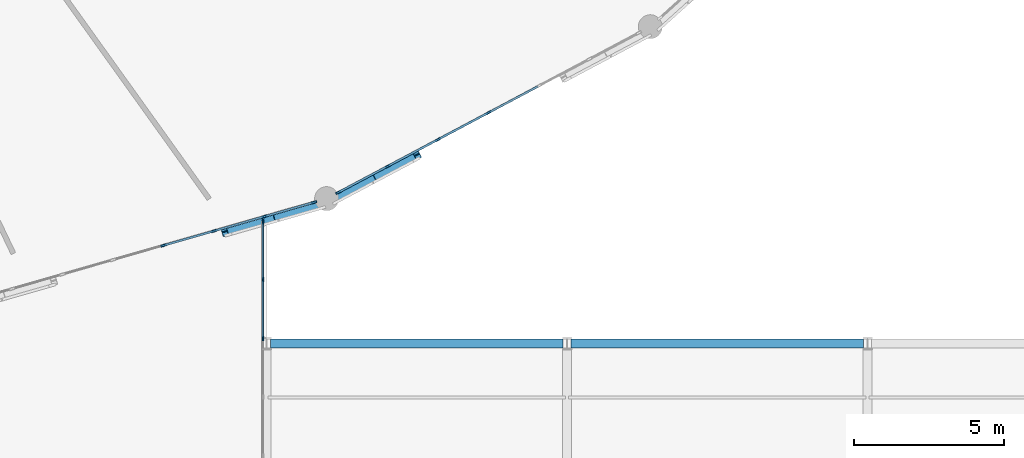
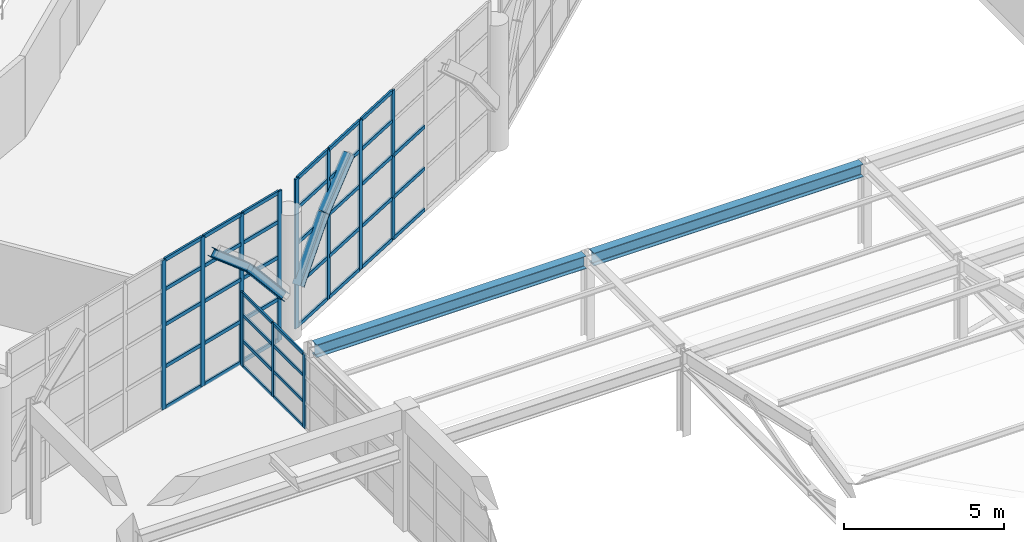
# One storey, part 30 of 109: 52 members, 6 beams, 3 elements without a shape of their own.
"""IFC4 building model written with IfcOpenShell, lengths in metres."""

import ifcopenshell
import ifcopenshell.guid

model = None  # the IFC model being written
_history = None  # IfcOwnerHistory: only IFC2X3 demands one
_inside = {}  # id of a spatial element -> (the spatial element, [elements in it])
_under = {}  # id of a project, library or spatial element -> (it, [spatial elements below it])
_declared = {}  # id of a project -> (the project, [libraries it declares])
_typed = {}  # id of a type object -> (the type object, [elements of that type])
_made_of = {}  # id of a material, layer set ... -> (it, [elements and type objects made of it])


def new_model(schema):
    """Start an empty IFC model of exactly this schema.

    Asked for "IFC4X3", IfcOpenShell would pick the latest addendum, in which some entities
    have other attributes; the version numbers below select the first issue.
    IFC2X3 requires an IfcOwnerHistory on every rooted entity: one is made here for all.
    """
    global model, _history
    if schema == "IFC4X3":
        model = ifcopenshell.file(schema_version=(4, 3, 0, 0))
    else:
        model = ifcopenshell.file(schema=schema)
    _inside.clear()
    _under.clear()
    _declared.clear()
    _typed.clear()
    _made_of.clear()
    _history = None
    if model.schema == "IFC2X3":
        org = make("IfcOrganization", Name="unknown")
        user = make(
            "IfcPersonAndOrganization",
            ThePerson=make("IfcPerson", FamilyName="unknown"),
            TheOrganization=org,
        )
        app = make(
            "IfcApplication",
            ApplicationDeveloper=org,
            Version="unknown",
            ApplicationFullName="unknown",
            ApplicationIdentifier="unknown",
        )
        _history = make(
            "IfcOwnerHistory",
            OwningUser=user,
            OwningApplication=app,
            ChangeAction="ADDED",
            CreationDate=0,
        )
    return model


def make(cls, **values):
    """One entity of the class cls with the attributes given. An attribute that is None is left unset."""
    return model.create_entity(
        cls, **{name: value for name, value in values.items() if value is not None}
    )


def rooted(cls, **values):
    """An entity with a GlobalId (a new one), such as an element, a storey or a relation."""
    return make(cls, GlobalId=ifcopenshell.guid.new(), OwnerHistory=_history, **values)


def si_unit(unit_type, name, prefix=None):
    """IfcSIUnit, for example si_unit("LENGTHUNIT", "METRE", prefix="MILLI")."""
    return make("IfcSIUnit", UnitType=unit_type, Prefix=prefix, Name=name)


def assignment(units):
    """IfcUnitAssignment: the units of a project."""
    return None if units is None else make("IfcUnitAssignment", Units=units)


def point(xyz):
    """IfcCartesianPoint."""
    return None if xyz is None else make("IfcCartesianPoint", Coordinates=xyz)


def direction(xyz):
    """IfcDirection."""
    return None if xyz is None else make("IfcDirection", DirectionRatios=xyz)


def frame(location, z_axis=None, x_axis=None):
    """IfcAxis2Placement3D, a coordinate frame: its origin and axes. An axis left out is left unset."""
    return make(
        "IfcAxis2Placement3D",
        Location=point(location),
        Axis=direction(z_axis),
        RefDirection=direction(x_axis),
    )


def frame_2d(location, x_axis=None):
    """IfcAxis2Placement2D, a coordinate frame in the plane: its origin and x axis."""
    return make(
        "IfcAxis2Placement2D", Location=point(location), RefDirection=direction(x_axis)
    )


def origin():
    """The frame at (0, 0, 0) with its axes left unset."""
    return frame((0.0, 0.0, 0.0))


def origin_2d():
    """The frame at (0, 0) in the plane with its x axis left unset."""
    return frame_2d((0.0, 0.0))


def place(relative_to, where):
    """IfcLocalPlacement: puts the frame where relative to a parent placement (None: the world)."""
    return make(
        "IfcLocalPlacement", PlacementRelTo=relative_to, RelativePlacement=where
    )


def context(
    kind, dimensions, precision=None, world=None, true_north=None, identifier=None
):
    """IfcGeometricRepresentationContext, for example the 3D "Model" context."""
    return make(
        "IfcGeometricRepresentationContext",
        ContextIdentifier=identifier,
        ContextType=kind,
        CoordinateSpaceDimension=dimensions,
        Precision=precision,
        WorldCoordinateSystem=world,
        TrueNorth=true_north,
    )


def subcontext(parent, identifier, kind, view, scale=None):
    """IfcGeometricRepresentationSubContext, for example "Body" below "Model"."""
    return make(
        "IfcGeometricRepresentationSubContext",
        ContextIdentifier=identifier,
        ContextType=kind,
        ParentContext=parent,
        TargetScale=scale,
        TargetView=view,
    )


def project(units=None, contexts=None):
    """IfcProject with its units and contexts."""
    return rooted(
        "IfcProject",
        Name="project",
        RepresentationContexts=contexts,
        UnitsInContext=assignment(units),
    )


def spatial(cls, under=None, at=None, **own):
    """A site, building, storey or space (cls), placed at a placement, below another one or the project."""
    s = rooted(cls, ObjectPlacement=at, **own)
    if under is not None:
        _under.setdefault(under.id(), (under, []))[1].append(s)
    return s


def profile(cls, at=None, kind="AREA", **sizes):
    """A parametric profile (cls). Its sizes go by their IFC names, for example OverallWidth=200.0."""
    return make(cls, ProfileType=kind, Position=at, **sizes)


def rectangle(**sizes):
    """IfcRectangleProfileDef."""
    return profile("IfcRectangleProfileDef", **sizes)


def i_section(**sizes):
    """IfcIShapeProfileDef."""
    return profile("IfcIShapeProfileDef", **sizes)


def extrude(swept, where, along, depth):
    """IfcExtrudedAreaSolid: the profile swept, set in the frame where, extruded along a direction by depth."""
    return make(
        "IfcExtrudedAreaSolid",
        SweptArea=swept,
        Position=where,
        ExtrudedDirection=direction(along),
        Depth=depth,
    )


def shape(context_of_items, identifier, shape_type, items):
    """IfcShapeRepresentation: the items that make up one representation, for example the "Body"."""
    return make(
        "IfcShapeRepresentation",
        ContextOfItems=context_of_items,
        RepresentationIdentifier=identifier,
        RepresentationType=shape_type,
        Items=items,
    )


def material(Name=None, Category=None):
    """IfcMaterial."""
    return make("IfcMaterial", Name=Name, Category=Category)


def layer(
    of_material, thickness, ventilated=None, Name=None, Category=None, Priority=None
):
    """IfcMaterialLayer: one layer of a wall or slab, of a material (None: an air gap)."""
    return make(
        "IfcMaterialLayer",
        Material=of_material,
        LayerThickness=thickness,
        IsVentilated=ventilated,
        Name=Name,
        Category=Category,
        Priority=Priority,
    )


def layer_set(layers, Name=None):
    """IfcMaterialLayerSet."""
    return make("IfcMaterialLayerSet", MaterialLayers=layers, LayerSetName=Name)


def material_profile(
    of_material, cross_section, Name=None, Category=None, Priority=None
):
    """IfcMaterialProfile: a cross section and its material."""
    return make(
        "IfcMaterialProfile",
        Name=Name,
        Material=of_material,
        Profile=cross_section,
        Priority=Priority,
        Category=Category,
    )


def profile_set(profiles, Name=None, composite=None):
    """IfcMaterialProfileSet."""
    return make(
        "IfcMaterialProfileSet",
        Name=Name,
        MaterialProfiles=profiles,
        CompositeProfile=composite,
    )


def made_of(thing, what):
    """Note that an element or type object is made of a material, layer set ...; save() writes the relation."""
    if what is not None:
        _made_of.setdefault(what.id(), (what, []))[1].append(thing)
    return thing


def type_object(cls, material=None, **own):
    """A type object (cls), such as IfcWallType, which elements share."""
    return made_of(rooted(cls, **own), material)


def element(
    cls,
    number,
    at=None,
    inside=None,
    cuts=None,
    type_object=None,
    material=None,
    context=None,
    identifier="Body",
    shape_type=None,
    held_by="IfcProductDefinitionShape",
    body=None,
    shapes=None,
    **own,
):
    """One element of the class cls, such as IfcWall. Its Tag is "e" and its number.

    at: its placement. inside: the storey or other place that contains it. cuts: it is an
    opening in that element (IfcRelVoidsElement). A single representation is given by context,
    identifier, shape_type and body (its items); several are given by shapes. held_by: the class
    of the entity that holds the representations. save() writes the other relations.
    """
    e = rooted(cls, Tag="e%d" % number, ObjectPlacement=at, **own)
    if body is not None:
        shapes = [shape(context, identifier, shape_type, body)]
    if shapes is not None:
        e.Representation = make(held_by, Representations=shapes)
    if inside is not None:
        _inside.setdefault(inside.id(), (inside, []))[1].append(e)
    if cuts is not None:
        rooted(
            "IfcRelVoidsElement", RelatingBuildingElement=cuts, RelatedOpeningElement=e
        )
    if type_object is not None:
        _typed.setdefault(type_object.id(), (type_object, []))[1].append(e)
    return made_of(e, material)


def aggregate(whole, parts):
    """IfcRelAggregates: a whole, such as a stair, and the parts it consists of."""
    return rooted("IfcRelAggregates", RelatingObject=whole, RelatedObjects=parts)


def save(model, path):
    """Write the relations noted so far, then the file.

    IfcRelAggregates (storeys below a building ...), IfcRelContainedInSpatialStructure (elements
    in a storey), IfcRelDefinesByType, IfcRelAssociatesMaterial and IfcRelDeclares: one each for
    every whole, place, type object, material and project.
    """
    for whole, parts in _under.values():
        aggregate(whole, parts)
    for where, things in _inside.values():
        rooted(
            "IfcRelContainedInSpatialStructure",
            RelatedElements=things,
            RelatingStructure=where,
        )
    for kind, things in _typed.values():
        rooted("IfcRelDefinesByType", RelatedObjects=things, RelatingType=kind)
    for what, things in _made_of.values():
        rooted("IfcRelAssociatesMaterial", RelatedObjects=things, RelatingMaterial=what)
    for by, libraries in _declared.values():
        rooted("IfcRelDeclares", RelatingContext=by, RelatedDefinitions=libraries)
    model.write(path)


model = new_model("IFC4")

# Units and contexts
model_context = context("Model", 3, precision=1e-05, world=origin(), true_north=direction((0.0, 1.0)))
body_context = subcontext(model_context, "Body", "Model", "MODEL_VIEW")
ifc_project = project(units=[si_unit("LENGTHUNIT", "METRE"), si_unit("AREAUNIT", "SQUARE_METRE"), si_unit("VOLUMEUNIT", "CUBIC_METRE"), si_unit("PLANEANGLEUNIT", "RADIAN"), si_unit("MASSUNIT", "GRAM", prefix="KILO")], contexts=[model_context])

# Site, building, storey
site_placement = place(None, origin())
site = spatial("IfcSite", under=ifc_project, at=site_placement, CompositionType="ELEMENT")
building_placement = place(site_placement, origin())
building = spatial("IfcBuilding", under=site, at=building_placement, Name="Kivolera Central Railway Station", CompositionType="ELEMENT")
storey_placement = place(building_placement, frame((0.0, 0.0, 9.60009765625)))
storey = spatial("IfcBuildingStorey", under=building, at=storey_placement, Name="L02", CompositionType="ELEMENT", Elevation=9.60009765625)

# Beams
ifc_material_1 = material(Name="Steel S355", Category="steel")
ifc_material_profile_1 = material_profile(ifc_material_1, i_section(OverallWidth=0.300048828125, OverallDepth=0.300048828125, WebThickness=0.010986328125, FlangeThickness=0.01904296875, FilletRadius=0.027099609375, at=origin_2d()), Name="HEB 300")
ifc_profile_set_1 = profile_set([ifc_material_profile_1], Name="Steel S355")
beam_type_1 = type_object("IfcBeamType", Name="BM-LANT-ARCH", PredefinedType="SPANDREL", material=ifc_profile_set_1)
beam_1_placement = place(storey_placement, frame((86.60888671875, 57.72607421875, 4.9599609375), z_axis=(0.732995328779, 0.210190358855, -0.646945021646), x_axis=(-0.275646238787, 0.961259148743, 0.0)))
element("IfcBeam", 1, at=beam_1_placement, inside=storey, type_object=beam_type_1, Name="Oval Lantern Structural Arch Rib 20.5", PredefinedType="SPANDREL", context=body_context, shape_type="SweptSolid", body=[
    extrude(i_section(OverallWidth=0.300048828125, OverallDepth=0.300048828125, WebThickness=0.010986328125, FlangeThickness=0.01904296875, FilletRadius=0.027099609375, at=origin_2d()), origin(), (0.0, 0.0, 1.0), 2.102294921875),
])
beam_2_placement = place(storey_placement, frame((88.14990234375, 58.16796875, 3.599853515625), z_axis=(0.620136976598, 0.177813183125, -0.764076306505), x_axis=(-0.275625562891, 0.961265077427, 0.0)))
element("IfcBeam", 2, at=beam_2_placement, inside=storey, type_object=beam_type_1, Name="Oval Lantern Structural Arch Rib 20.6", PredefinedType="SPANDREL", context=body_context, shape_type="SweptSolid", body=[
    extrude(i_section(OverallWidth=0.300048828125, OverallDepth=0.300048828125, WebThickness=0.010986328125, FlangeThickness=0.01904296875, FilletRadius=0.027099609375, at=origin_2d()), origin(), (0.0, 0.0, 1.0), 2.486572265625),
])
beam_3_placement = place(storey_placement, frame((90.3701171875, 58.884033203125, 1.699951171875), z_axis=(0.545509681166, 0.289732540923, 0.786431333611), x_axis=(-0.469067500221, 0.88316231817, 0.0)))
element("IfcBeam", 3, at=beam_3_placement, inside=storey, type_object=beam_type_1, Name="Oval Lantern Structural Arch Rib 21.1", PredefinedType="SPANDREL", context=body_context, shape_type="SweptSolid", body=[
    extrude(i_section(OverallWidth=0.300048828125, OverallDepth=0.300048828125, WebThickness=0.010986328125, FlangeThickness=0.01904296875, FilletRadius=0.027099609375, at=origin_2d()), origin(), (0.0, 0.0, 1.0), 2.415771484375),
])
beam_4_placement = place(storey_placement, frame((91.68798828125, 59.583984375, 3.599853515625), z_axis=(0.65306159566, 0.346534813022, 0.673367786308), x_axis=(-0.468728824497, 0.883342113275, 0.0)))
element("IfcBeam", 4, at=beam_4_placement, inside=storey, type_object=beam_type_1, Name="Oval Lantern Structural Arch Rib 21.2", PredefinedType="SPANDREL", context=body_context, shape_type="SweptSolid", body=[
    extrude(i_section(OverallWidth=0.300048828125, OverallDepth=0.300048828125, WebThickness=0.010986328125, FlangeThickness=0.01904296875, FilletRadius=0.027099609375, at=origin_2d()), origin(), (0.0, 0.0, 1.0), 2.019775390625),
])
ifc_material_profile_2 = material_profile(ifc_material_1, i_section(OverallWidth=0.300048828125, OverallDepth=0.489990234375, WebThickness=0.011962890625, FlangeThickness=0.02294921875, FilletRadius=0.027099609375, at=origin_2d()), Name="HEA 500")
ifc_profile_set_2 = profile_set([ifc_material_profile_2], Name="Steel S355")
beam_type_2 = type_object("IfcBeamType", Name="BM-SHD-HEA500", PredefinedType="BEAM", material=ifc_profile_set_2)
for number, where, z_axis, x_axis, name in (
    (5, (88.136962890625, 54.0, 3.0048828125), (1.0, 0.0, 0.0), (0.0, 1.0, 0.0), "Train Shed Eave Girder E:9-10"),
    (6, (98.136962890625, 54.0, 3.0048828125), (1.0, 0.0, 0.0), (0.0, 1.0, 0.0), "Train Shed Eave Girder E:10-11"),
):
    element("IfcBeam", number, at=place(storey_placement, frame(where, z_axis=z_axis, x_axis=x_axis)), inside=storey, type_object=beam_type_2, Name=name, PredefinedType="BEAM", context=body_context, shape_type="SweptSolid", body=[
        extrude(i_section(OverallWidth=0.300048828125, OverallDepth=0.489990234375, WebThickness=0.011962890625, FlangeThickness=0.02294921875, FilletRadius=0.027099609375, at=origin_2d()), origin(), (0.0, 0.0, 1.0), 9.72607421875),
    ])

# Curtain wall, members
ifc_material_2 = material(Name="Anodised aluminium", Category="aluminium")
ifc_layer_1 = layer(ifc_material_2, 0.179931640625, Name="Anodised aluminium")
ifc_layer_set_1 = layer_set([ifc_layer_1], Name="Anodised aluminium")
curtain_wall_type_1 = type_object("IfcCurtainWallType", Name="CW-SYS-11", PredefinedType="NOTDEFINED", material=ifc_layer_set_1)
curtain_wall_1_placement = place(storey_placement, origin())
curtain_wall_1 = element("IfcCurtainWall", 7, at=curtain_wall_1_placement, inside=storey, type_object=curtain_wall_type_1, Name="L02 Curtain Wall CW-L02-OVL-19", PredefinedType="NOTDEFINED")
ifc_material_profile_3 = material_profile(ifc_material_2, rectangle(XDim=0.070068359375, YDim=0.179931640625, at=origin_2d()), Name="ALU MULL 70x180")
ifc_profile_set_3 = profile_set([ifc_material_profile_3], Name="Anodised aluminium")
member_type_1 = type_object("IfcMemberType", Name="CWM-MUL-1", PredefinedType="MULLION", material=ifc_profile_set_3)
member_1_placement = place(storey_placement, frame((89.581298828125, 58.703369140625, -0.005126953125), z_axis=(0.0, 0.0, 1.0), x_axis=(0.27569168989, -0.961246114232, 0.0)))
member_1 = element("IfcMember", 8, at=member_1_placement, type_object=member_type_1, Name="CW-11 mullion 1", PredefinedType="MULLION", context=body_context, shape_type="SweptSolid", body=[
    extrude(rectangle(XDim=0.070068359375, YDim=0.179931640625, at=origin_2d()), origin(), (0.0, 0.0, 1.0), 5.705078125),
])
member_2_placement = place(storey_placement, frame((87.933349609375, 58.230712890625, -0.005126953125), z_axis=(0.0, 0.0, 1.0), x_axis=(0.27569168989, -0.961246114232, 0.0)))
member_2 = element("IfcMember", 9, at=member_2_placement, type_object=member_type_1, Name="CW-11 mullion 2", PredefinedType="MULLION", context=body_context, shape_type="SweptSolid", body=[
    extrude(rectangle(XDim=0.070068359375, YDim=0.179931640625, at=origin_2d()), origin(), (0.0, 0.0, 1.0), 5.705078125),
])
member_3_placement = place(storey_placement, frame((86.251953125, 57.74853515625, -0.005126953125), z_axis=(0.0, 0.0, 1.0), x_axis=(0.27569168989, -0.961246114232, 0.0)))
member_3 = element("IfcMember", 10, at=member_3_placement, type_object=member_type_1, Name="CW-11 mullion 3", PredefinedType="MULLION", context=body_context, shape_type="SweptSolid", body=[
    extrude(rectangle(XDim=0.070068359375, YDim=0.179931640625, at=origin_2d()), origin(), (0.0, 0.0, 1.0), 5.705078125),
])
member_4_placement = place(storey_placement, frame((84.5703125, 57.26611328125, -0.005126953125), z_axis=(0.0, 0.0, 1.0), x_axis=(0.27569168989, -0.961246114232, 0.0)))
member_4 = element("IfcMember", 11, at=member_4_placement, type_object=member_type_1, Name="CW-11 mullion 4", PredefinedType="MULLION", context=body_context, shape_type="SweptSolid", body=[
    extrude(rectangle(XDim=0.070068359375, YDim=0.179931640625, at=origin_2d()), origin(), (0.0, 0.0, 1.0), 5.705078125),
])

ifc_layer_2 = layer(ifc_material_2, 0.179931640625, Name="Anodised aluminium")
ifc_layer_set_2 = layer_set([ifc_layer_2], Name="Anodised aluminium")
curtain_wall_type_2 = type_object("IfcCurtainWallType", Name="CW-SYS-09", PredefinedType="NOTDEFINED", material=ifc_layer_set_2)
curtain_wall_2_placement = place(storey_placement, origin())
curtain_wall_2 = element("IfcCurtainWall", 12, at=curtain_wall_2_placement, inside=storey, type_object=curtain_wall_type_2, Name="L02 Curtain Wall CW-L02-OVL-20", PredefinedType="NOTDEFINED")
member_5_placement = place(storey_placement, frame((95.385009765625, 61.68359375, -0.005126953125), z_axis=(0.0, 0.0, 1.0), x_axis=(0.469052563023, -0.883170251493, 0.0)))
member_5 = element("IfcMember", 13, at=member_5_placement, type_object=member_type_1, Name="CW-09 mullion 4", PredefinedType="MULLION", context=body_context, shape_type="SweptSolid", body=[
    extrude(rectangle(XDim=0.070068359375, YDim=0.179931640625, at=origin_2d()), origin(), (0.0, 0.0, 1.0), 5.705078125),
])
member_6_placement = place(storey_placement, frame((93.707763671875, 60.792724609375, -0.005126953125), z_axis=(0.0, 0.0, 1.0), x_axis=(0.469052563023, -0.883170251493, 0.0)))
member_6 = element("IfcMember", 14, at=member_6_placement, type_object=member_type_1, Name="CW-09 mullion 5", PredefinedType="MULLION", context=body_context, shape_type="SweptSolid", body=[
    extrude(rectangle(XDim=0.070068359375, YDim=0.179931640625, at=origin_2d()), origin(), (0.0, 0.0, 1.0), 5.705078125),
])
member_7_placement = place(storey_placement, frame((92.0302734375, 59.90185546875, -0.005126953125), z_axis=(0.0, 0.0, 1.0), x_axis=(0.469052563023, -0.883170251493, 0.0)))
member_7 = element("IfcMember", 15, at=member_7_placement, type_object=member_type_1, Name="CW-09 mullion 6", PredefinedType="MULLION", context=body_context, shape_type="SweptSolid", body=[
    extrude(rectangle(XDim=0.070068359375, YDim=0.179931640625, at=origin_2d()), origin(), (0.0, 0.0, 1.0), 5.705078125),
])
member_8_placement = place(storey_placement, frame((90.3837890625, 59.02734375, -0.005126953125), z_axis=(0.0, 0.0, 1.0), x_axis=(0.469052563023, -0.883170251493, 0.0)))
member_8 = element("IfcMember", 16, at=member_8_placement, type_object=member_type_1, Name="CW-09 mullion 7", PredefinedType="MULLION", context=body_context, shape_type="SweptSolid", body=[
    extrude(rectangle(XDim=0.070068359375, YDim=0.179931640625, at=origin_2d()), origin(), (0.0, 0.0, 1.0), 5.705078125),
])

ifc_layer_3 = layer(ifc_material_2, 0.179931640625, Name="Anodised aluminium")
ifc_layer_set_3 = layer_set([ifc_layer_3], Name="Anodised aluminium")
curtain_wall_type_3 = type_object("IfcCurtainWallType", Name="CW-SYS-20", PredefinedType="NOTDEFINED", material=ifc_layer_set_3)
curtain_wall_3_placement = place(storey_placement, origin())
curtain_wall_3 = element("IfcCurtainWall", 17, at=curtain_wall_3_placement, inside=storey, type_object=curtain_wall_type_3, Name="L02 Curtain Wall CW-L02-BRGE-4", PredefinedType="NOTDEFINED")
ifc_material_profile_4 = material_profile(ifc_material_2, rectangle(XDim=0.06005859375, YDim=0.14990234375, at=origin_2d()), Name="ALU MULL 60x150")
ifc_profile_set_4 = profile_set([ifc_material_profile_4], Name="Anodised aluminium")
member_type_2 = type_object("IfcMemberType", Name="CWM-MUL-2", PredefinedType="MULLION", material=ifc_profile_set_4)
member_9_placement = place(storey_placement, frame((87.8798828125, 58.050048828125, -0.005126953125), z_axis=(0.0, 0.0, 1.0), x_axis=(1.0, 0.0, 0.0)))
member_9 = element("IfcMember", 18, at=member_9_placement, type_object=member_type_2, Name="CW-20 mullion 1", PredefinedType="MULLION", context=body_context, shape_type="SweptSolid", body=[
    extrude(rectangle(XDim=0.06005859375, YDim=0.14990234375, at=origin_2d()), origin(), (0.0, 0.0, 1.0), 2.824951171875),
])
member_10_placement = place(storey_placement, frame((87.8798828125, 56.1259765625, -0.005126953125), z_axis=(0.0, 0.0, 1.0), x_axis=(1.0, 0.0, 0.0)))
member_10 = element("IfcMember", 19, at=member_10_placement, type_object=member_type_2, Name="CW-20 mullion 2", PredefinedType="MULLION", context=body_context, shape_type="SweptSolid", body=[
    extrude(rectangle(XDim=0.06005859375, YDim=0.14990234375, at=origin_2d()), origin(), (0.0, 0.0, 1.0), 2.824951171875),
])
member_11_placement = place(storey_placement, frame((87.8798828125, 54.172119140625, -0.005126953125), z_axis=(0.0, 0.0, 1.0), x_axis=(1.0, 0.0, 0.0)))
member_11 = element("IfcMember", 20, at=member_11_placement, type_object=member_type_2, Name="CW-20 mullion 3", PredefinedType="MULLION", context=body_context, shape_type="SweptSolid", body=[
    extrude(rectangle(XDim=0.06005859375, YDim=0.14990234375, at=origin_2d()), origin(), (0.0, 0.0, 1.0), 2.824951171875),
])

# Member
ifc_material_profile_5 = material_profile(ifc_material_2, rectangle(XDim=0.070068359375, YDim=0.139892578125, at=origin_2d()), Name="ALU TRAN 70x140")
ifc_profile_set_5 = profile_set([ifc_material_profile_5], Name="Anodised aluminium")
member_type_3 = type_object("IfcMemberType", Name="CWM-TRN-1", PredefinedType="USERDEFINED", material=ifc_profile_set_5)
member_12_placement = place(storey_placement, frame((89.547607421875, 58.693603515625, 0.034912109375), z_axis=(-0.961277023143, -0.275583897892, 0.0), x_axis=(0.275583897892, -0.961277023143, 0.0)))
member_12 = element("IfcMember", 21, at=member_12_placement, type_object=member_type_3, Name="CW-11 transom 1.1", ObjectType="TRANSOM", PredefinedType="USERDEFINED", context=body_context, shape_type="SweptSolid", body=[
    extrude(rectangle(XDim=0.070068359375, YDim=0.139892578125, at=origin_2d()), origin(), (0.0, 0.0, 1.0), 1.644287109375),
])

member_13_placement = place(storey_placement, frame((89.547607421875, 58.693603515625, 1.599853515625), z_axis=(-0.961277023143, -0.275583897892, 0.0), x_axis=(0.275583897892, -0.961277023143, 0.0)))
member_13 = element("IfcMember", 22, at=member_13_placement, type_object=member_type_3, Name="CW-11 transom 1.2", ObjectType="TRANSOM", PredefinedType="USERDEFINED", context=body_context, shape_type="SweptSolid", body=[
    extrude(rectangle(XDim=0.070068359375, YDim=0.139892578125, at=origin_2d()), origin(), (0.0, 0.0, 1.0), 1.644287109375),
])

member_14_placement = place(storey_placement, frame((89.547607421875, 58.693603515625, 3.199951171875), z_axis=(-0.961277023143, -0.275583897892, 0.0), x_axis=(0.275583897892, -0.961277023143, 0.0)))
member_14 = element("IfcMember", 23, at=member_14_placement, type_object=member_type_3, Name="CW-11 transom 1.3", ObjectType="TRANSOM", PredefinedType="USERDEFINED", context=body_context, shape_type="SweptSolid", body=[
    extrude(rectangle(XDim=0.070068359375, YDim=0.139892578125, at=origin_2d()), origin(), (0.0, 0.0, 1.0), 1.644287109375),
])

member_15_placement = place(storey_placement, frame((89.547607421875, 58.693603515625, 4.5498046875), z_axis=(-0.961277023143, -0.275583897892, 0.0), x_axis=(0.275583897892, -0.961277023143, 0.0)))
member_15 = element("IfcMember", 24, at=member_15_placement, type_object=member_type_3, Name="CW-11 transom 1.4", ObjectType="TRANSOM", PredefinedType="USERDEFINED", context=body_context, shape_type="SweptSolid", body=[
    extrude(rectangle(XDim=0.070068359375, YDim=0.139892578125, at=origin_2d()), origin(), (0.0, 0.0, 1.0), 1.644287109375),
])

member_16_placement = place(storey_placement, frame((89.547607421875, 58.693603515625, 5.664794921875), z_axis=(-0.961277023143, -0.275583897892, 0.0), x_axis=(0.275583897892, -0.961277023143, 0.0)))
member_16 = element("IfcMember", 25, at=member_16_placement, type_object=member_type_3, Name="CW-11 transom 1.5", ObjectType="TRANSOM", PredefinedType="USERDEFINED", context=body_context, shape_type="SweptSolid", body=[
    extrude(rectangle(XDim=0.070068359375, YDim=0.139892578125, at=origin_2d()), origin(), (0.0, 0.0, 1.0), 1.644287109375),
])

member_17_placement = place(storey_placement, frame((87.89990234375, 58.220947265625, 0.034912109375), z_axis=(-0.961271217599, -0.275604147674, 0.0), x_axis=(0.275604147674, -0.961271217599, 0.0)))
member_17 = element("IfcMember", 26, at=member_17_placement, type_object=member_type_3, Name="CW-11 transom 2.1", ObjectType="TRANSOM", PredefinedType="USERDEFINED", context=body_context, shape_type="SweptSolid", body=[
    extrude(rectangle(XDim=0.070068359375, YDim=0.139892578125, at=origin_2d()), origin(), (0.0, 0.0, 1.0), 1.679443359375),
])

member_18_placement = place(storey_placement, frame((87.89990234375, 58.220947265625, 1.599853515625), z_axis=(-0.961271217599, -0.275604147674, 0.0), x_axis=(0.275604147674, -0.961271217599, 0.0)))
member_18 = element("IfcMember", 27, at=member_18_placement, type_object=member_type_3, Name="CW-11 transom 2.2", ObjectType="TRANSOM", PredefinedType="USERDEFINED", context=body_context, shape_type="SweptSolid", body=[
    extrude(rectangle(XDim=0.070068359375, YDim=0.139892578125, at=origin_2d()), origin(), (0.0, 0.0, 1.0), 1.679443359375),
])

member_19_placement = place(storey_placement, frame((87.89990234375, 58.220947265625, 3.199951171875), z_axis=(-0.961271217599, -0.275604147674, 0.0), x_axis=(0.275604147674, -0.961271217599, 0.0)))
member_19 = element("IfcMember", 28, at=member_19_placement, type_object=member_type_3, Name="CW-11 transom 2.3", ObjectType="TRANSOM", PredefinedType="USERDEFINED", context=body_context, shape_type="SweptSolid", body=[
    extrude(rectangle(XDim=0.070068359375, YDim=0.139892578125, at=origin_2d()), origin(), (0.0, 0.0, 1.0), 1.679443359375),
])

member_20_placement = place(storey_placement, frame((87.89990234375, 58.220947265625, 4.5498046875), z_axis=(-0.961271217599, -0.275604147674, 0.0), x_axis=(0.275604147674, -0.961271217599, 0.0)))
member_20 = element("IfcMember", 29, at=member_20_placement, type_object=member_type_3, Name="CW-11 transom 2.4", ObjectType="TRANSOM", PredefinedType="USERDEFINED", context=body_context, shape_type="SweptSolid", body=[
    extrude(rectangle(XDim=0.070068359375, YDim=0.139892578125, at=origin_2d()), origin(), (0.0, 0.0, 1.0), 1.679443359375),
])

member_21_placement = place(storey_placement, frame((87.89990234375, 58.220947265625, 5.664794921875), z_axis=(-0.961271217599, -0.275604147674, 0.0), x_axis=(0.275604147674, -0.961271217599, 0.0)))
member_21 = element("IfcMember", 30, at=member_21_placement, type_object=member_type_3, Name="CW-11 transom 2.5", ObjectType="TRANSOM", PredefinedType="USERDEFINED", context=body_context, shape_type="SweptSolid", body=[
    extrude(rectangle(XDim=0.070068359375, YDim=0.139892578125, at=origin_2d()), origin(), (0.0, 0.0, 1.0), 1.679443359375),
])

member_22_placement = place(storey_placement, frame((86.21826171875, 57.73876953125, 0.034912109375), z_axis=(-0.961260174018, -0.27564266333, 0.0), x_axis=(0.27564266333, -0.961260174018, 0.0)))
member_22 = element("IfcMember", 31, at=member_22_placement, type_object=member_type_3, Name="CW-11 transom 3.1", ObjectType="TRANSOM", PredefinedType="USERDEFINED", context=body_context, shape_type="SweptSolid", body=[
    extrude(rectangle(XDim=0.070068359375, YDim=0.139892578125, at=origin_2d()), origin(), (0.0, 0.0, 1.0), 1.67919921875),
])

member_23_placement = place(storey_placement, frame((86.21826171875, 57.73876953125, 1.599853515625), z_axis=(-0.961260174018, -0.27564266333, 0.0), x_axis=(0.27564266333, -0.961260174018, 0.0)))
member_23 = element("IfcMember", 32, at=member_23_placement, type_object=member_type_3, Name="CW-11 transom 3.2", ObjectType="TRANSOM", PredefinedType="USERDEFINED", context=body_context, shape_type="SweptSolid", body=[
    extrude(rectangle(XDim=0.070068359375, YDim=0.139892578125, at=origin_2d()), origin(), (0.0, 0.0, 1.0), 1.67919921875),
])

member_24_placement = place(storey_placement, frame((86.21826171875, 57.73876953125, 3.199951171875), z_axis=(-0.961260174018, -0.27564266333, 0.0), x_axis=(0.27564266333, -0.961260174018, 0.0)))
member_24 = element("IfcMember", 33, at=member_24_placement, type_object=member_type_3, Name="CW-11 transom 3.3", ObjectType="TRANSOM", PredefinedType="USERDEFINED", context=body_context, shape_type="SweptSolid", body=[
    extrude(rectangle(XDim=0.070068359375, YDim=0.139892578125, at=origin_2d()), origin(), (0.0, 0.0, 1.0), 1.67919921875),
])

member_25_placement = place(storey_placement, frame((86.21826171875, 57.73876953125, 4.5498046875), z_axis=(-0.961260174018, -0.27564266333, 0.0), x_axis=(0.27564266333, -0.961260174018, 0.0)))
member_25 = element("IfcMember", 34, at=member_25_placement, type_object=member_type_3, Name="CW-11 transom 3.4", ObjectType="TRANSOM", PredefinedType="USERDEFINED", context=body_context, shape_type="SweptSolid", body=[
    extrude(rectangle(XDim=0.070068359375, YDim=0.139892578125, at=origin_2d()), origin(), (0.0, 0.0, 1.0), 1.67919921875),
])

member_26_placement = place(storey_placement, frame((86.21826171875, 57.73876953125, 5.664794921875), z_axis=(-0.961260174018, -0.27564266333, 0.0), x_axis=(0.27564266333, -0.961260174018, 0.0)))
member_26 = element("IfcMember", 35, at=member_26_placement, type_object=member_type_3, Name="CW-11 transom 3.5", ObjectType="TRANSOM", PredefinedType="USERDEFINED", context=body_context, shape_type="SweptSolid", body=[
    extrude(rectangle(XDim=0.070068359375, YDim=0.139892578125, at=origin_2d()), origin(), (0.0, 0.0, 1.0), 1.67919921875),
])

aggregate(curtain_wall_1, [member_1, member_2, member_3, member_4, member_12, member_13, member_14, member_15, member_16, member_17, member_18, member_19, member_20, member_21, member_22, member_23, member_24, member_25, member_26])

member_27_placement = place(storey_placement, frame((97.031494140625, 62.557861328125, 0.034912109375), z_axis=(-0.88318656257, -0.469021849913, 0.0), x_axis=(0.469021849913, -0.88318656257, 0.0)))
member_27 = element("IfcMember", 36, at=member_27_placement, type_object=member_type_3, Name="CW-09 transom 3.1", ObjectType="TRANSOM", PredefinedType="USERDEFINED", context=body_context, shape_type="SweptSolid", body=[
    extrude(rectangle(XDim=0.070068359375, YDim=0.139892578125, at=origin_2d()), origin(), (0.0, 0.0, 1.0), 1.8291015625),
])

member_28_placement = place(storey_placement, frame((97.031494140625, 62.557861328125, 1.599853515625), z_axis=(-0.88318656257, -0.469021849913, 0.0), x_axis=(0.469021849913, -0.88318656257, 0.0)))
member_28 = element("IfcMember", 37, at=member_28_placement, type_object=member_type_3, Name="CW-09 transom 3.2", ObjectType="TRANSOM", PredefinedType="USERDEFINED", context=body_context, shape_type="SweptSolid", body=[
    extrude(rectangle(XDim=0.070068359375, YDim=0.139892578125, at=origin_2d()), origin(), (0.0, 0.0, 1.0), 1.8291015625),
])

member_29_placement = place(storey_placement, frame((97.031494140625, 62.557861328125, 3.199951171875), z_axis=(-0.88318656257, -0.469021849913, 0.0), x_axis=(0.469021849913, -0.88318656257, 0.0)))
member_29 = element("IfcMember", 38, at=member_29_placement, type_object=member_type_3, Name="CW-09 transom 3.3", ObjectType="TRANSOM", PredefinedType="USERDEFINED", context=body_context, shape_type="SweptSolid", body=[
    extrude(rectangle(XDim=0.070068359375, YDim=0.139892578125, at=origin_2d()), origin(), (0.0, 0.0, 1.0), 1.8291015625),
])

member_30_placement = place(storey_placement, frame((95.35400390625, 61.6669921875, 0.034912109375), z_axis=(-0.88318656257, -0.469021849913, 0.0), x_axis=(0.469021849913, -0.88318656257, 0.0)))
member_30 = element("IfcMember", 39, at=member_30_placement, type_object=member_type_3, Name="CW-09 transom 4.1", ObjectType="TRANSOM", PredefinedType="USERDEFINED", context=body_context, shape_type="SweptSolid", body=[
    extrude(rectangle(XDim=0.070068359375, YDim=0.139892578125, at=origin_2d()), origin(), (0.0, 0.0, 1.0), 1.8291015625),
])

member_31_placement = place(storey_placement, frame((95.35400390625, 61.6669921875, 1.599853515625), z_axis=(-0.88318656257, -0.469021849913, 0.0), x_axis=(0.469021849913, -0.88318656257, 0.0)))
member_31 = element("IfcMember", 40, at=member_31_placement, type_object=member_type_3, Name="CW-09 transom 4.2", ObjectType="TRANSOM", PredefinedType="USERDEFINED", context=body_context, shape_type="SweptSolid", body=[
    extrude(rectangle(XDim=0.070068359375, YDim=0.139892578125, at=origin_2d()), origin(), (0.0, 0.0, 1.0), 1.8291015625),
])

member_32_placement = place(storey_placement, frame((95.35400390625, 61.6669921875, 3.199951171875), z_axis=(-0.88318656257, -0.469021849913, 0.0), x_axis=(0.469021849913, -0.88318656257, 0.0)))
member_32 = element("IfcMember", 41, at=member_32_placement, type_object=member_type_3, Name="CW-09 transom 4.3", ObjectType="TRANSOM", PredefinedType="USERDEFINED", context=body_context, shape_type="SweptSolid", body=[
    extrude(rectangle(XDim=0.070068359375, YDim=0.139892578125, at=origin_2d()), origin(), (0.0, 0.0, 1.0), 1.8291015625),
])

member_33_placement = place(storey_placement, frame((95.35400390625, 61.6669921875, 4.5498046875), z_axis=(-0.88318656257, -0.469021849913, 0.0), x_axis=(0.469021849913, -0.88318656257, 0.0)))
member_33 = element("IfcMember", 42, at=member_33_placement, type_object=member_type_3, Name="CW-09 transom 4.4", ObjectType="TRANSOM", PredefinedType="USERDEFINED", context=body_context, shape_type="SweptSolid", body=[
    extrude(rectangle(XDim=0.070068359375, YDim=0.139892578125, at=origin_2d()), origin(), (0.0, 0.0, 1.0), 1.8291015625),
])

member_34_placement = place(storey_placement, frame((95.35400390625, 61.6669921875, 5.664794921875), z_axis=(-0.88318656257, -0.469021849913, 0.0), x_axis=(0.469021849913, -0.88318656257, 0.0)))
member_34 = element("IfcMember", 43, at=member_34_placement, type_object=member_type_3, Name="CW-09 transom 4.5", ObjectType="TRANSOM", PredefinedType="USERDEFINED", context=body_context, shape_type="SweptSolid", body=[
    extrude(rectangle(XDim=0.070068359375, YDim=0.139892578125, at=origin_2d()), origin(), (0.0, 0.0, 1.0), 1.8291015625),
])

member_35_placement = place(storey_placement, frame((93.6767578125, 60.7763671875, 0.034912109375), z_axis=(-0.883131271136, -0.469125951042, 0.0), x_axis=(0.469125951042, -0.883131271136, 0.0)))
member_35 = element("IfcMember", 44, at=member_35_placement, type_object=member_type_3, Name="CW-09 transom 5.1", ObjectType="TRANSOM", PredefinedType="USERDEFINED", context=body_context, shape_type="SweptSolid", body=[
    extrude(rectangle(XDim=0.070068359375, YDim=0.139892578125, at=origin_2d()), origin(), (0.0, 0.0, 1.0), 1.829345703125),
])

member_36_placement = place(storey_placement, frame((93.6767578125, 60.7763671875, 1.599853515625), z_axis=(-0.883131271136, -0.469125951042, 0.0), x_axis=(0.469125951042, -0.883131271136, 0.0)))
member_36 = element("IfcMember", 45, at=member_36_placement, type_object=member_type_3, Name="CW-09 transom 5.2", ObjectType="TRANSOM", PredefinedType="USERDEFINED", context=body_context, shape_type="SweptSolid", body=[
    extrude(rectangle(XDim=0.070068359375, YDim=0.139892578125, at=origin_2d()), origin(), (0.0, 0.0, 1.0), 1.829345703125),
])

member_37_placement = place(storey_placement, frame((93.6767578125, 60.7763671875, 3.199951171875), z_axis=(-0.883131271136, -0.469125951042, 0.0), x_axis=(0.469125951042, -0.883131271136, 0.0)))
member_37 = element("IfcMember", 46, at=member_37_placement, type_object=member_type_3, Name="CW-09 transom 5.3", ObjectType="TRANSOM", PredefinedType="USERDEFINED", context=body_context, shape_type="SweptSolid", body=[
    extrude(rectangle(XDim=0.070068359375, YDim=0.139892578125, at=origin_2d()), origin(), (0.0, 0.0, 1.0), 1.829345703125),
])

member_38_placement = place(storey_placement, frame((93.6767578125, 60.7763671875, 4.5498046875), z_axis=(-0.883131271136, -0.469125951042, 0.0), x_axis=(0.469125951042, -0.883131271136, 0.0)))
member_38 = element("IfcMember", 47, at=member_38_placement, type_object=member_type_3, Name="CW-09 transom 5.4", ObjectType="TRANSOM", PredefinedType="USERDEFINED", context=body_context, shape_type="SweptSolid", body=[
    extrude(rectangle(XDim=0.070068359375, YDim=0.139892578125, at=origin_2d()), origin(), (0.0, 0.0, 1.0), 1.829345703125),
])

member_39_placement = place(storey_placement, frame((93.6767578125, 60.7763671875, 5.664794921875), z_axis=(-0.883131271136, -0.469125951042, 0.0), x_axis=(0.469125951042, -0.883131271136, 0.0)))
member_39 = element("IfcMember", 48, at=member_39_placement, type_object=member_type_3, Name="CW-09 transom 5.5", ObjectType="TRANSOM", PredefinedType="USERDEFINED", context=body_context, shape_type="SweptSolid", body=[
    extrude(rectangle(XDim=0.070068359375, YDim=0.139892578125, at=origin_2d()), origin(), (0.0, 0.0, 1.0), 1.829345703125),
])

member_40_placement = place(storey_placement, frame((91.99951171875, 59.885498046875, 0.034912109375), z_axis=(-0.883191460259, -0.469012627255, 0.0), x_axis=(0.469012627255, -0.883191460259, 0.0)))
member_40 = element("IfcMember", 49, at=member_40_placement, type_object=member_type_3, Name="CW-09 transom 6.1", ObjectType="TRANSOM", PredefinedType="USERDEFINED", context=body_context, shape_type="SweptSolid", body=[
    extrude(rectangle(XDim=0.070068359375, YDim=0.139892578125, at=origin_2d()), origin(), (0.0, 0.0, 1.0), 1.794189453125),
])

member_41_placement = place(storey_placement, frame((91.99951171875, 59.885498046875, 1.599853515625), z_axis=(-0.883191460259, -0.469012627255, 0.0), x_axis=(0.469012627255, -0.883191460259, 0.0)))
member_41 = element("IfcMember", 50, at=member_41_placement, type_object=member_type_3, Name="CW-09 transom 6.2", ObjectType="TRANSOM", PredefinedType="USERDEFINED", context=body_context, shape_type="SweptSolid", body=[
    extrude(rectangle(XDim=0.070068359375, YDim=0.139892578125, at=origin_2d()), origin(), (0.0, 0.0, 1.0), 1.794189453125),
])

member_42_placement = place(storey_placement, frame((91.99951171875, 59.885498046875, 3.199951171875), z_axis=(-0.883191460259, -0.469012627255, 0.0), x_axis=(0.469012627255, -0.883191460259, 0.0)))
member_42 = element("IfcMember", 51, at=member_42_placement, type_object=member_type_3, Name="CW-09 transom 6.3", ObjectType="TRANSOM", PredefinedType="USERDEFINED", context=body_context, shape_type="SweptSolid", body=[
    extrude(rectangle(XDim=0.070068359375, YDim=0.139892578125, at=origin_2d()), origin(), (0.0, 0.0, 1.0), 1.794189453125),
])

member_43_placement = place(storey_placement, frame((91.99951171875, 59.885498046875, 4.5498046875), z_axis=(-0.883191460259, -0.469012627255, 0.0), x_axis=(0.469012627255, -0.883191460259, 0.0)))
member_43 = element("IfcMember", 52, at=member_43_placement, type_object=member_type_3, Name="CW-09 transom 6.4", ObjectType="TRANSOM", PredefinedType="USERDEFINED", context=body_context, shape_type="SweptSolid", body=[
    extrude(rectangle(XDim=0.070068359375, YDim=0.139892578125, at=origin_2d()), origin(), (0.0, 0.0, 1.0), 1.794189453125),
])

member_44_placement = place(storey_placement, frame((91.99951171875, 59.885498046875, 5.664794921875), z_axis=(-0.883191460259, -0.469012627255, 0.0), x_axis=(0.469012627255, -0.883191460259, 0.0)))
member_44 = element("IfcMember", 53, at=member_44_placement, type_object=member_type_3, Name="CW-09 transom 6.5", ObjectType="TRANSOM", PredefinedType="USERDEFINED", context=body_context, shape_type="SweptSolid", body=[
    extrude(rectangle(XDim=0.070068359375, YDim=0.139892578125, at=origin_2d()), origin(), (0.0, 0.0, 1.0), 1.794189453125),
])

aggregate(curtain_wall_2, [member_5, member_6, member_7, member_8, member_27, member_28, member_29, member_30, member_31, member_32, member_33, member_34, member_35, member_36, member_37, member_38, member_39, member_40, member_41, member_42, member_43, member_44])

ifc_material_profile_6 = material_profile(ifc_material_2, rectangle(XDim=0.06005859375, YDim=0.1201171875, at=origin_2d()), Name="ALU TRAN 60x120")
ifc_profile_set_6 = profile_set([ifc_material_profile_6], Name="Anodised aluminium")
member_type_4 = type_object("IfcMemberType", Name="CWM-TRN-2", PredefinedType="USERDEFINED", material=ifc_profile_set_6)
member_45_placement = place(storey_placement, frame((87.8798828125, 58.02001953125, 0.02978515625), z_axis=(0.0, -1.0, 0.0), x_axis=(1.0, 0.0, 0.0)))
member_45 = element("IfcMember", 54, at=member_45_placement, type_object=member_type_4, Name="CW-20 transom 1.1", ObjectType="TRANSOM", PredefinedType="USERDEFINED", context=body_context, shape_type="SweptSolid", body=[
    extrude(rectangle(XDim=0.06005859375, YDim=0.1201171875, at=origin_2d()), origin(), (0.0, 0.0, 1.0), 1.864013671875),
])

member_46_placement = place(storey_placement, frame((87.8798828125, 58.02001953125, 0.98681640625), z_axis=(0.0, -1.0, 0.0), x_axis=(1.0, 0.0, 0.0)))
member_46 = element("IfcMember", 55, at=member_46_placement, type_object=member_type_4, Name="CW-20 transom 1.2", ObjectType="TRANSOM", PredefinedType="USERDEFINED", context=body_context, shape_type="SweptSolid", body=[
    extrude(rectangle(XDim=0.06005859375, YDim=0.1201171875, at=origin_2d()), origin(), (0.0, 0.0, 1.0), 1.864013671875),
])

member_47_placement = place(storey_placement, frame((87.8798828125, 58.02001953125, 1.973876953125), z_axis=(0.0, -1.0, 0.0), x_axis=(1.0, 0.0, 0.0)))
member_47 = element("IfcMember", 56, at=member_47_placement, type_object=member_type_4, Name="CW-20 transom 1.3", ObjectType="TRANSOM", PredefinedType="USERDEFINED", context=body_context, shape_type="SweptSolid", body=[
    extrude(rectangle(XDim=0.06005859375, YDim=0.1201171875, at=origin_2d()), origin(), (0.0, 0.0, 1.0), 1.864013671875),
])

member_48_placement = place(storey_placement, frame((87.8798828125, 58.02001953125, 2.789794921875), z_axis=(0.0, -1.0, 0.0), x_axis=(1.0, 0.0, 0.0)))
member_48 = element("IfcMember", 57, at=member_48_placement, type_object=member_type_4, Name="CW-20 transom 1.4", ObjectType="TRANSOM", PredefinedType="USERDEFINED", context=body_context, shape_type="SweptSolid", body=[
    extrude(rectangle(XDim=0.06005859375, YDim=0.1201171875, at=origin_2d()), origin(), (0.0, 0.0, 1.0), 1.864013671875),
])

member_49_placement = place(storey_placement, frame((87.8798828125, 56.095947265625, 0.02978515625), z_axis=(0.0, -1.0, 0.0), x_axis=(1.0, 0.0, 0.0)))
member_49 = element("IfcMember", 58, at=member_49_placement, type_object=member_type_4, Name="CW-20 transom 2.1", ObjectType="TRANSOM", PredefinedType="USERDEFINED", context=body_context, shape_type="SweptSolid", body=[
    extrude(rectangle(XDim=0.06005859375, YDim=0.1201171875, at=origin_2d()), origin(), (0.0, 0.0, 1.0), 1.89404296875),
])

member_50_placement = place(storey_placement, frame((87.8798828125, 56.095947265625, 0.98681640625), z_axis=(0.0, -1.0, 0.0), x_axis=(1.0, 0.0, 0.0)))
member_50 = element("IfcMember", 59, at=member_50_placement, type_object=member_type_4, Name="CW-20 transom 2.2", ObjectType="TRANSOM", PredefinedType="USERDEFINED", context=body_context, shape_type="SweptSolid", body=[
    extrude(rectangle(XDim=0.06005859375, YDim=0.1201171875, at=origin_2d()), origin(), (0.0, 0.0, 1.0), 1.89404296875),
])

member_51_placement = place(storey_placement, frame((87.8798828125, 56.095947265625, 1.973876953125), z_axis=(0.0, -1.0, 0.0), x_axis=(1.0, 0.0, 0.0)))
member_51 = element("IfcMember", 60, at=member_51_placement, type_object=member_type_4, Name="CW-20 transom 2.3", ObjectType="TRANSOM", PredefinedType="USERDEFINED", context=body_context, shape_type="SweptSolid", body=[
    extrude(rectangle(XDim=0.06005859375, YDim=0.1201171875, at=origin_2d()), origin(), (0.0, 0.0, 1.0), 1.89404296875),
])

member_52_placement = place(storey_placement, frame((87.8798828125, 56.095947265625, 2.789794921875), z_axis=(0.0, -1.0, 0.0), x_axis=(1.0, 0.0, 0.0)))
member_52 = element("IfcMember", 61, at=member_52_placement, type_object=member_type_4, Name="CW-20 transom 2.4", ObjectType="TRANSOM", PredefinedType="USERDEFINED", context=body_context, shape_type="SweptSolid", body=[
    extrude(rectangle(XDim=0.06005859375, YDim=0.1201171875, at=origin_2d()), origin(), (0.0, 0.0, 1.0), 1.89404296875),
])

aggregate(curtain_wall_3, [member_9, member_10, member_11, member_45, member_46, member_47, member_48, member_49, member_50, member_51, member_52])

save(model, "model.ifc")
